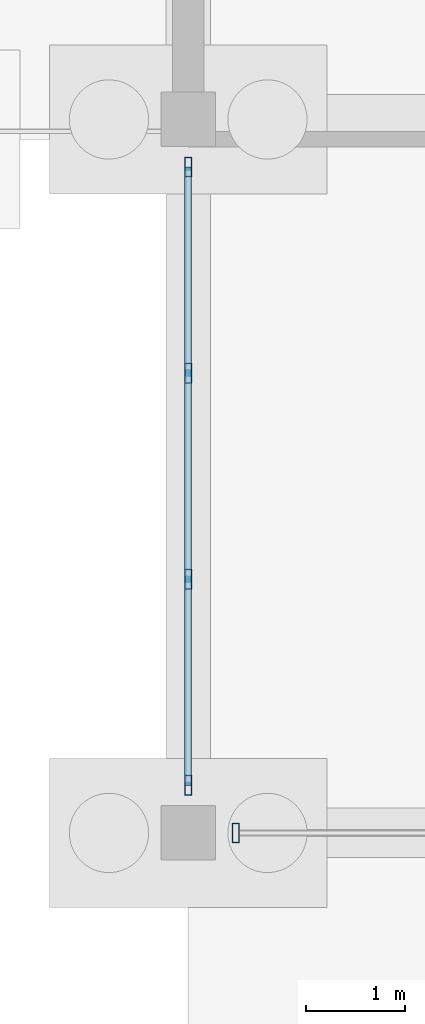
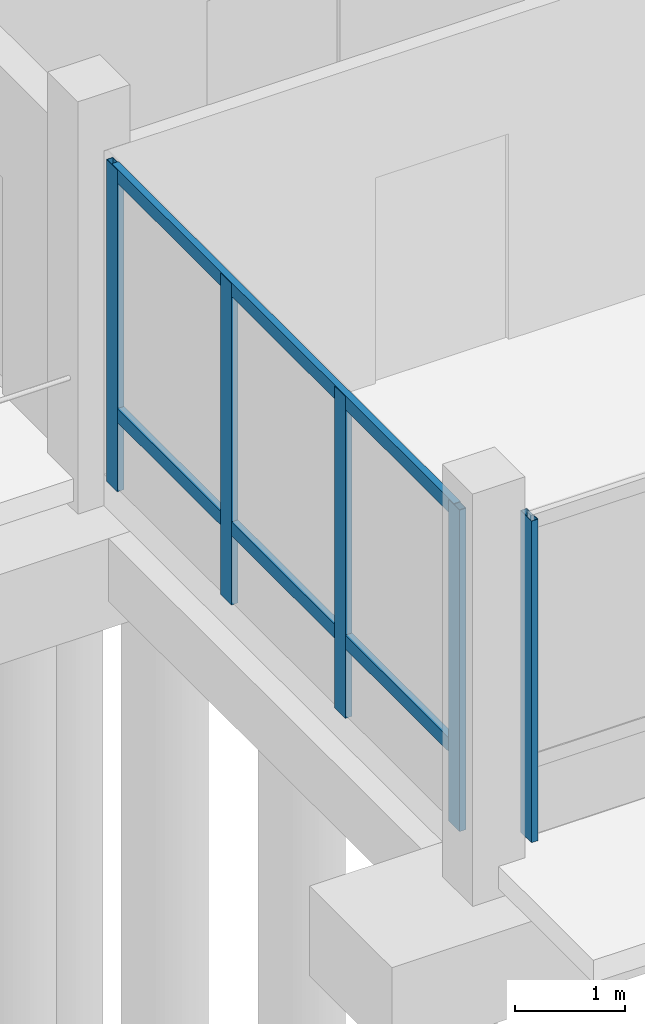
# One storey, part 29 of 98: 7 members, 2 elements without a shape of their own.
"""IFC4 building model written with IfcOpenShell, lengths in metres."""

from ifc_helpers import new_model, si_unit, direction, frame, origin, origin_2d, place, context, subcontext, project, spatial, hollow_rectangle, extrude, material, material_profile, profile_set, type_object, element, aggregate, save


model = new_model("IFC4")

# Units and contexts
model_context = context("Model", 3, precision=1e-05, world=origin(), true_north=direction((0.0, 1.0)))
body_context = subcontext(model_context, "Body", "Model", "MODEL_VIEW")
ifc_project = project(units=[si_unit("LENGTHUNIT", "METRE"), si_unit("AREAUNIT", "SQUARE_METRE"), si_unit("VOLUMEUNIT", "CUBIC_METRE"), si_unit("PLANEANGLEUNIT", "RADIAN"), si_unit("MASSUNIT", "GRAM", prefix="KILO")], contexts=[model_context])

# Site, building, storey
site_placement = place(None, origin())
site = spatial("IfcSite", under=ifc_project, at=site_placement, CompositionType="ELEMENT")
building_placement = place(site_placement, origin())
building = spatial("IfcBuilding", under=site, at=building_placement, Name="Zornivar Specialist Clinic", CompositionType="ELEMENT")
storey_placement = place(building_placement, origin())
storey = spatial("IfcBuildingStorey", under=building, at=storey_placement, Name="L00", CompositionType="ELEMENT", Elevation=0.0)

# Curtain wall, member
ifc_material_1 = material(Name="Aluminium and Low-E Glass Curtain Wall", Category="aluminium")
curtain_wall_type = type_object("IfcCurtainWallType", Name="CW-WINTERGARDEN", PredefinedType="NOTDEFINED", material=ifc_material_1)
curtain_wall_1_placement = place(storey_placement, origin())
curtain_wall_1 = element("IfcCurtainWall", 1, at=curtain_wall_1_placement, inside=storey, type_object=curtain_wall_type, Name="cw:V4:L00:00", PredefinedType="NOTDEFINED")
ifc_material_2 = material(Name="Aluminium AW-6060", Category="aluminium")
ifc_material_profile_1 = material_profile(ifc_material_2, hollow_rectangle(XDim=0.070068359375, YDim=0.199951171875, WallThickness=0.0048828125, at=origin_2d()), Name="ALU 70x200x5")
ifc_profile_set_1 = profile_set([ifc_material_profile_1], Name="Aluminium AW-6060")
member_type_1 = type_object("IfcMemberType", Name="CWM-MUL-200", PredefinedType="MULLION", material=ifc_profile_set_1)
member_1_placement = place(storey_placement, frame((122.8798828125, 0.0, 0.0), z_axis=(0.0, 0.0, 1.0), x_axis=(1.0, 0.0, 0.0)))
member_1 = element("IfcMember", 2, at=member_1_placement, type_object=member_type_1, Name="cw:V4:L00:00:mul:0", PredefinedType="MULLION", context=body_context, shape_type="SweptSolid", body=[
    extrude(hollow_rectangle(XDim=0.070068359375, YDim=0.199951171875, WallThickness=0.0048828125, at=origin_2d()), origin(), (0.0, 0.0, 1.0), 3.580078125),
])
aggregate(curtain_wall_1, [member_1])

# Curtain wall, members
curtain_wall_2_placement = place(storey_placement, origin())
curtain_wall_2 = element("IfcCurtainWall", 3, at=curtain_wall_2_placement, inside=storey, type_object=curtain_wall_type, Name="cw:V4:L00:17", PredefinedType="NOTDEFINED")
member_2_placement = place(storey_placement, frame((122.39990234375, 6.719970703125, 0.0), z_axis=(0.0, 0.0, 1.0), x_axis=(1.0, 0.0, 0.0)))
member_2 = element("IfcMember", 4, at=member_2_placement, type_object=member_type_1, Name="cw:V4:L00:17:mul:0", PredefinedType="MULLION", context=body_context, shape_type="SweptSolid", body=[
    extrude(hollow_rectangle(XDim=0.070068359375, YDim=0.199951171875, WallThickness=0.0048828125, at=origin_2d()), origin(), (0.0, 0.0, 1.0), 3.580078125),
])
member_3_placement = place(storey_placement, frame((122.39990234375, 4.639892578125, 0.0), z_axis=(0.0, 0.0, 1.0), x_axis=(1.0, 0.0, 0.0)))
member_3 = element("IfcMember", 5, at=member_3_placement, type_object=member_type_1, Name="cw:V4:L00:17:mul:1", PredefinedType="MULLION", context=body_context, shape_type="SweptSolid", body=[
    extrude(hollow_rectangle(XDim=0.070068359375, YDim=0.199951171875, WallThickness=0.0048828125, at=origin_2d()), origin(), (0.0, 0.0, 1.0), 3.580078125),
])
member_4_placement = place(storey_placement, frame((122.39990234375, 2.56005859375, 0.0), z_axis=(0.0, 0.0, 1.0), x_axis=(1.0, 0.0, 0.0)))
member_4 = element("IfcMember", 6, at=member_4_placement, type_object=member_type_1, Name="cw:V4:L00:17:mul:2", PredefinedType="MULLION", context=body_context, shape_type="SweptSolid", body=[
    extrude(hollow_rectangle(XDim=0.070068359375, YDim=0.199951171875, WallThickness=0.0048828125, at=origin_2d()), origin(), (0.0, 0.0, 1.0), 3.580078125),
])
member_5_placement = place(storey_placement, frame((122.39990234375, 0.47998046875, 0.0), z_axis=(0.0, 0.0, 1.0), x_axis=(1.0, 0.0, 0.0)))
member_5 = element("IfcMember", 7, at=member_5_placement, type_object=member_type_1, Name="cw:V4:L00:17:mul:3", PredefinedType="MULLION", context=body_context, shape_type="SweptSolid", body=[
    extrude(hollow_rectangle(XDim=0.070068359375, YDim=0.199951171875, WallThickness=0.0048828125, at=origin_2d()), origin(), (0.0, 0.0, 1.0), 3.580078125),
])
ifc_material_3 = material(Name="Aluminium AW-6060", Category="aluminium")
ifc_material_profile_2 = material_profile(ifc_material_3, hollow_rectangle(XDim=0.070068359375, YDim=0.155029296875, WallThickness=0.00439453125, at=origin_2d()), Name="ALU 70x155x4.5")
ifc_profile_set_2 = profile_set([ifc_material_profile_2], Name="Aluminium AW-6060")
member_type_2 = type_object("IfcMemberType", Name="CWM-TRN-155", PredefinedType="USERDEFINED", material=ifc_profile_set_2)
member_6_placement = place(storey_placement, frame((122.39990234375, 6.719970703125, 0.85009765625), z_axis=(0.0, -1.0, 0.0), x_axis=(1.0, 0.0, 0.0)))
member_6 = element("IfcMember", 8, at=member_6_placement, type_object=member_type_2, Name="cw:V4:L00:17:trn:0", ObjectType="TRANSOM", PredefinedType="USERDEFINED", context=body_context, shape_type="SweptSolid", body=[
    extrude(hollow_rectangle(XDim=0.070068359375, YDim=0.155029296875, WallThickness=0.00439453125, at=origin_2d()), origin(), (0.0, 0.0, 1.0), 6.239990234375),
])
member_7_placement = place(storey_placement, frame((122.39990234375, 6.719970703125, 3.514892578125), z_axis=(0.0, -1.0, 0.0), x_axis=(1.0, 0.0, 0.0)))
member_7 = element("IfcMember", 9, at=member_7_placement, type_object=member_type_2, Name="cw:V4:L00:17:trn:1", ObjectType="TRANSOM", PredefinedType="USERDEFINED", context=body_context, shape_type="SweptSolid", body=[
    extrude(hollow_rectangle(XDim=0.070068359375, YDim=0.155029296875, WallThickness=0.00439453125, at=origin_2d()), origin(), (0.0, 0.0, 1.0), 6.239990234375),
])
aggregate(curtain_wall_2, [member_2, member_3, member_4, member_5, member_6, member_7])

save(model, "model.ifc")
